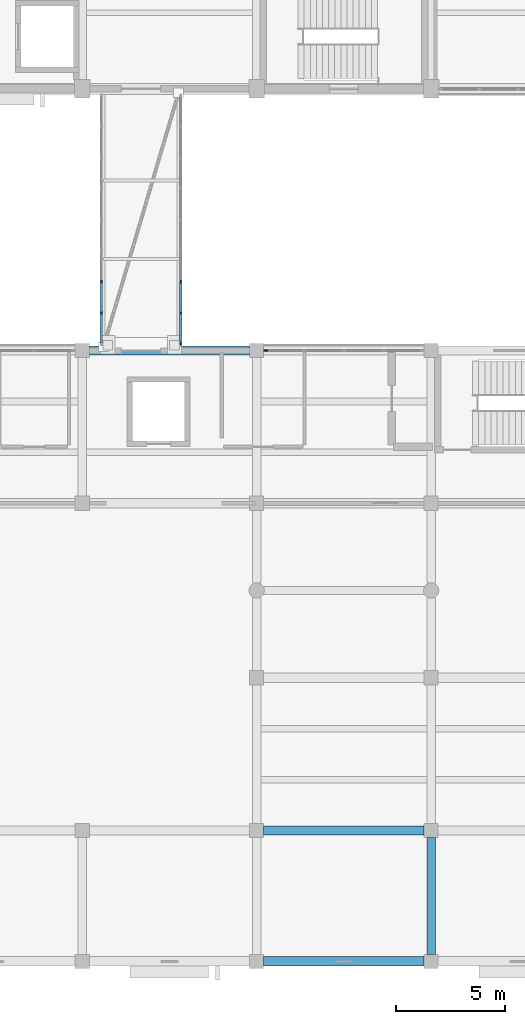
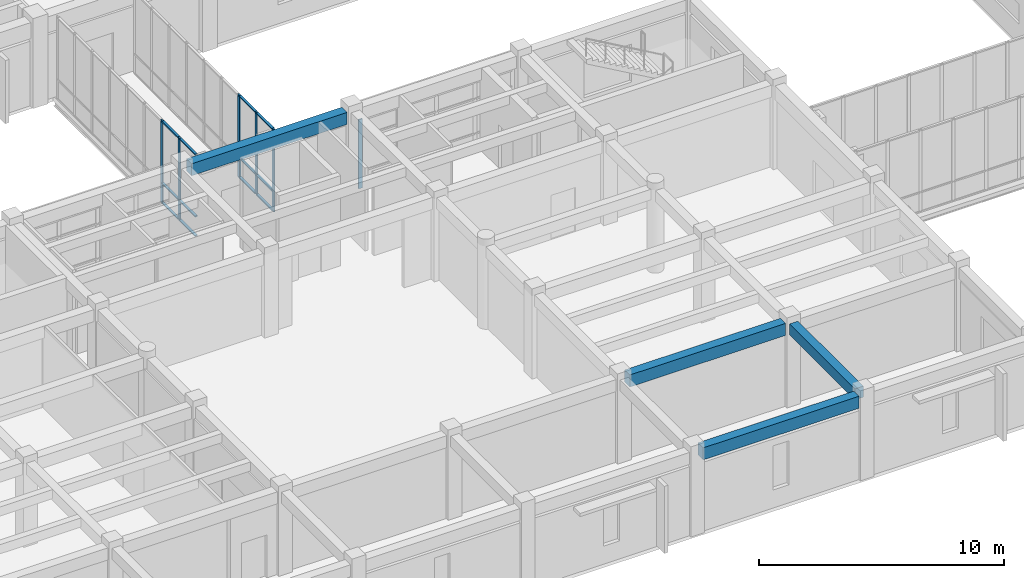
# One storey, part 19 of 72: 18 members, 4 beams, 3 elements without a shape of their own.
"""IFC4 building model written with IfcOpenShell, lengths in metres."""

from ifc_helpers import new_model, si_unit, direction, frame, origin, origin_2d, place, context, subcontext, project, spatial, rectangle, extrude, material, layer, layer_set, material_profile, profile_set, type_object, element, aggregate, save


model = new_model("IFC4")

# Units and contexts
model_context = context("Model", 3, precision=1e-05, world=origin(), true_north=direction((0.0, 1.0)))
body_context = subcontext(model_context, "Body", "Model", "MODEL_VIEW")
ifc_project = project(units=[si_unit("LENGTHUNIT", "METRE"), si_unit("AREAUNIT", "SQUARE_METRE"), si_unit("VOLUMEUNIT", "CUBIC_METRE"), si_unit("PLANEANGLEUNIT", "RADIAN"), si_unit("MASSUNIT", "GRAM", prefix="KILO")], contexts=[model_context])

# Site, building, storey
site_placement = place(None, origin())
site = spatial("IfcSite", under=ifc_project, at=site_placement, CompositionType="ELEMENT")
building_placement = place(site_placement, origin())
building = spatial("IfcBuilding", under=site, at=building_placement, Name="Naurynzar Civic Courthouse", CompositionType="ELEMENT")
storey_placement = place(building_placement, frame((0.0, 0.0, 9.89990234375)))
storey = spatial("IfcBuildingStorey", under=building, at=storey_placement, Name="L03", CompositionType="ELEMENT", Elevation=9.89990234375)

# Beams
ifc_material_1 = material(Name="Concrete C40/50", Category="concrete")
ifc_material_profile_1 = material_profile(ifc_material_1, rectangle(XDim=0.39990234375, YDim=0.550048828125, at=origin_2d()), Name="RCB 400x550")
ifc_profile_set_1 = profile_set([ifc_material_profile_1], Name="Concrete C40/50")
beam_type_1 = type_object("IfcBeamType", Name="BM-RC-400x550", PredefinedType="BEAM", material=ifc_profile_set_1)
beam_placement = place(storey_placement, frame((109.0, 4.324951171875, 3.885009765625), z_axis=(0.0, 1.0, 0.0), x_axis=(-1.0, 0.0, 0.0)))
element("IfcBeam", 1, at=beam_placement, inside=storey, type_object=beam_type_1, Name="V3 girder Y-1466 L03", PredefinedType="BEAM", context=body_context, shape_type="SweptSolid", body=[
    extrude(rectangle(XDim=0.39990234375, YDim=0.550048828125, at=origin_2d()), origin(), (0.0, 0.0, 1.0), 5.35009765625),
])
ifc_material_2 = material(Name="Concrete C40/50", Category="concrete")
ifc_material_profile_2 = material_profile(ifc_material_2, rectangle(XDim=0.425048828125, YDim=0.60009765625, at=origin_2d()), Name="RCB 425x600")
ifc_profile_set_2 = profile_set([ifc_material_profile_2], Name="Concrete C40/50")
beam_type_2 = type_object("IfcBeamType", Name="BM-RC-425x600", PredefinedType="BEAM", material=ifc_profile_set_2)
for number, where, z_axis, x_axis, name in (
    (2, (101.324951171875, 4.0, 3.860107421875), (1.0, 0.0, 0.0), (0.0, 1.0, 0.0), "V3 beam X-1421 L03"),
    (3, (101.324951171875, 10.0, 3.860107421875), (1.0, 0.0, 0.0), (0.0, 1.0, 0.0), "V3 beam X-1427 L03"),
    (4, (93.324951171875, 32.0, 3.860107421875), (1.0, 0.0, 0.0), (0.0, 1.0, 0.0), "V3 beam X-1442 L03"),
):
    element("IfcBeam", number, at=place(storey_placement, frame(where, z_axis=z_axis, x_axis=x_axis)), inside=storey, type_object=beam_type_2, Name=name, PredefinedType="BEAM", context=body_context, shape_type="SweptSolid", body=[
        extrude(rectangle(XDim=0.425048828125, YDim=0.60009765625, at=origin_2d()), origin(), (0.0, 0.0, 1.0), 7.35009765625),
    ])

# Curtain wall, members
ifc_material_3 = material(Name="Aluminium 6063-T6", Category="aluminium")
ifc_layer_1 = layer(ifc_material_3, 0.14990234375)
ifc_layer_set_1 = layer_set([ifc_layer_1], Name="CW-BRIDGE-1500")
curtain_wall_type_1 = type_object("IfcCurtainWallType", Name="CW-BRIDGE-1500", PredefinedType="USERDEFINED", material=ifc_layer_set_1)
curtain_wall_1_placement = place(storey_placement, origin())
curtain_wall_1 = element("IfcCurtainWall", 5, at=curtain_wall_1_placement, inside=storey, type_object=curtain_wall_type_1, Name="BR-C1 glazed bridge screen L03.1", ObjectType="GLAZED BRIDGE SCREEN", PredefinedType="USERDEFINED")
ifc_material_4 = material(Name="Aluminium 6063-T6", Category="aluminium")
ifc_material_profile_3 = material_profile(ifc_material_4, rectangle(XDim=0.06005859375, YDim=0.14990234375, at=origin_2d()), Name="ALU MULLION 60x150")
ifc_profile_set_3 = profile_set([ifc_material_profile_3], Name="Aluminium 6063-T6")
member_type_1 = type_object("IfcMemberType", Name="CWM-60x150", PredefinedType="MULLION", material=ifc_profile_set_3)
member_1_placement = place(storey_placement, frame((93.8798828125, 35.14990234375, 0.0), z_axis=(0.0, 0.0, 1.0), x_axis=(1.0, 0.0, 0.0)))
member_1 = element("IfcMember", 6, at=member_1_placement, type_object=member_type_1, Name="CW-03 mullion 7", PredefinedType="MULLION", context=body_context, shape_type="SweptSolid", body=[
    extrude(rectangle(XDim=0.06005859375, YDim=0.14990234375, at=origin_2d()), origin(), (0.0, 0.0, 1.0), 4.1201171875),
])
member_2_placement = place(storey_placement, frame((93.8798828125, 33.72509765625, 0.0), z_axis=(0.0, 0.0, 1.0), x_axis=(1.0, 0.0, 0.0)))
member_2 = element("IfcMember", 7, at=member_2_placement, type_object=member_type_1, Name="CW-03 mullion 8", PredefinedType="MULLION", context=body_context, shape_type="SweptSolid", body=[
    extrude(rectangle(XDim=0.06005859375, YDim=0.14990234375, at=origin_2d()), origin(), (0.0, 0.0, 1.0), 4.1201171875),
])

curtain_wall_2_placement = place(storey_placement, origin())
curtain_wall_2 = element("IfcCurtainWall", 8, at=curtain_wall_2_placement, inside=storey, type_object=curtain_wall_type_1, Name="BR-C1 glazed bridge screen L03.2", ObjectType="GLAZED BRIDGE SCREEN", PredefinedType="USERDEFINED")
member_3_placement = place(storey_placement, frame((97.52001953125, 32.330078125, 0.0), z_axis=(0.0, 0.0, 1.0), x_axis=(-1.0, 0.0, 0.0)))
member_3 = element("IfcMember", 9, at=member_3_placement, type_object=member_type_1, Name="CW-03 mullion 1", PredefinedType="MULLION", context=body_context, shape_type="SweptSolid", body=[
    extrude(rectangle(XDim=0.06005859375, YDim=0.14990234375, at=origin_2d()), origin(), (0.0, 0.0, 1.0), 4.1201171875),
])
member_4_placement = place(storey_placement, frame((97.52001953125, 33.72509765625, 0.0), z_axis=(0.0, 0.0, 1.0), x_axis=(-1.0, 0.0, 0.0)))
member_4 = element("IfcMember", 10, at=member_4_placement, type_object=member_type_1, Name="CW-03 mullion 2", PredefinedType="MULLION", context=body_context, shape_type="SweptSolid", body=[
    extrude(rectangle(XDim=0.06005859375, YDim=0.14990234375, at=origin_2d()), origin(), (0.0, 0.0, 1.0), 4.1201171875),
])
member_5_placement = place(storey_placement, frame((97.52001953125, 35.14990234375, 0.0), z_axis=(0.0, 0.0, 1.0), x_axis=(-1.0, 0.0, 0.0)))
member_5 = element("IfcMember", 11, at=member_5_placement, type_object=member_type_1, Name="CW-03 mullion 3", PredefinedType="MULLION", context=body_context, shape_type="SweptSolid", body=[
    extrude(rectangle(XDim=0.06005859375, YDim=0.14990234375, at=origin_2d()), origin(), (0.0, 0.0, 1.0), 4.1201171875),
])

# Curtain wall, member
ifc_material_5 = material(Name="Aluminium 6063-T6", Category="aluminium")
ifc_layer_2 = layer(ifc_material_5, 0.159912109375)
ifc_layer_set_2 = layer_set([ifc_layer_2], Name="CW-UNIT-1800")
curtain_wall_type_2 = type_object("IfcCurtainWallType", Name="CW-UNIT-1800", PredefinedType="NOTDEFINED", material=ifc_layer_set_2)
curtain_wall_3_placement = place(storey_placement, origin())
curtain_wall_3 = element("IfcCurtainWall", 12, at=curtain_wall_3_placement, inside=storey, type_object=curtain_wall_type_2, Name="V3 unitised curtain wall 69 L03", PredefinedType="NOTDEFINED")
ifc_material_6 = material(Name="Aluminium 6063-T6", Category="aluminium")
ifc_material_profile_4 = material_profile(ifc_material_6, rectangle(XDim=0.070068359375, YDim=0.179931640625, at=origin_2d()), Name="ALU MULLION 70x180")
ifc_profile_set_4 = profile_set([ifc_material_profile_4], Name="Aluminium 6063-T6")
member_type_2 = type_object("IfcMemberType", Name="CWM-70x180", PredefinedType="MULLION", material=ifc_profile_set_4)
member_6_placement = place(storey_placement, frame((101.409912109375, 32.0, 0.0), z_axis=(0.0, 0.0, 1.0), x_axis=(0.0, 1.0, 0.0)))
member_6 = element("IfcMember", 13, at=member_6_placement, type_object=member_type_2, Name="CW-02 mullion 1", PredefinedType="MULLION", context=body_context, shape_type="SweptSolid", body=[
    extrude(rectangle(XDim=0.070068359375, YDim=0.179931640625, at=origin_2d()), origin(), (0.0, 0.0, 1.0), 3.440185546875),
])
aggregate(curtain_wall_3, [member_6])

# Member
ifc_material_7 = material(Name="Aluminium 6063-T6", Category="aluminium")
ifc_material_profile_5 = material_profile(ifc_material_7, rectangle(XDim=0.110107421875, YDim=0.06005859375, at=origin_2d()), Name="ALU TRANSOM 60x110")
ifc_profile_set_5 = profile_set([ifc_material_profile_5], Name="Aluminium 6063-T6")
member_type_3 = type_object("IfcMemberType", Name="CWT-60x110", PredefinedType="USERDEFINED", material=ifc_profile_set_5)
member_7_placement = place(storey_placement, frame((93.8798828125, 35.1201171875, 0.030029296875), z_axis=(0.0, -1.0, 0.0), x_axis=(1.0, 0.0, 0.0)))
member_7 = element("IfcMember", 14, at=member_7_placement, type_object=member_type_3, Name="CW-03 transom 7.1", ObjectType="TRANSOM", PredefinedType="USERDEFINED", context=body_context, shape_type="SweptSolid", body=[
    extrude(rectangle(XDim=0.110107421875, YDim=0.06005859375, at=origin_2d()), origin(), (0.0, 0.0, 1.0), 1.365234375),
])

member_8_placement = place(storey_placement, frame((93.8798828125, 35.1201171875, 1.0), z_axis=(0.0, -1.0, 0.0), x_axis=(1.0, 0.0, 0.0)))
member_8 = element("IfcMember", 15, at=member_8_placement, type_object=member_type_3, Name="CW-03 transom 7.2", ObjectType="TRANSOM", PredefinedType="USERDEFINED", context=body_context, shape_type="SweptSolid", body=[
    extrude(rectangle(XDim=0.110107421875, YDim=0.06005859375, at=origin_2d()), origin(), (0.0, 0.0, 1.0), 1.365234375),
])

member_9_placement = place(storey_placement, frame((93.8798828125, 35.1201171875, 4.090087890625), z_axis=(0.0, -1.0, 0.0), x_axis=(1.0, 0.0, 0.0)))
member_9 = element("IfcMember", 16, at=member_9_placement, type_object=member_type_3, Name="CW-03 transom 7.3", ObjectType="TRANSOM", PredefinedType="USERDEFINED", context=body_context, shape_type="SweptSolid", body=[
    extrude(rectangle(XDim=0.110107421875, YDim=0.06005859375, at=origin_2d()), origin(), (0.0, 0.0, 1.0), 1.365234375),
])

member_10_placement = place(storey_placement, frame((93.8798828125, 33.695068359375, 0.030029296875), z_axis=(0.0, -1.0, 0.0), x_axis=(1.0, 0.0, 0.0)))
member_10 = element("IfcMember", 17, at=member_10_placement, type_object=member_type_3, Name="CW-03 transom 8.1", ObjectType="TRANSOM", PredefinedType="USERDEFINED", context=body_context, shape_type="SweptSolid", body=[
    extrude(rectangle(XDim=0.110107421875, YDim=0.06005859375, at=origin_2d()), origin(), (0.0, 0.0, 1.0), 1.3349609375),
])

member_11_placement = place(storey_placement, frame((93.8798828125, 33.695068359375, 1.0), z_axis=(0.0, -1.0, 0.0), x_axis=(1.0, 0.0, 0.0)))
member_11 = element("IfcMember", 18, at=member_11_placement, type_object=member_type_3, Name="CW-03 transom 8.2", ObjectType="TRANSOM", PredefinedType="USERDEFINED", context=body_context, shape_type="SweptSolid", body=[
    extrude(rectangle(XDim=0.110107421875, YDim=0.06005859375, at=origin_2d()), origin(), (0.0, 0.0, 1.0), 1.3349609375),
])

member_12_placement = place(storey_placement, frame((93.8798828125, 33.695068359375, 4.090087890625), z_axis=(0.0, -1.0, 0.0), x_axis=(1.0, 0.0, 0.0)))
member_12 = element("IfcMember", 19, at=member_12_placement, type_object=member_type_3, Name="CW-03 transom 8.3", ObjectType="TRANSOM", PredefinedType="USERDEFINED", context=body_context, shape_type="SweptSolid", body=[
    extrude(rectangle(XDim=0.110107421875, YDim=0.06005859375, at=origin_2d()), origin(), (0.0, 0.0, 1.0), 1.3349609375),
])

aggregate(curtain_wall_1, [member_1, member_2, member_7, member_8, member_9, member_10, member_11, member_12])

member_13_placement = place(storey_placement, frame((97.52001953125, 32.360107421875, 0.030029296875), z_axis=(0.0, 1.0, 0.0), x_axis=(-1.0, 0.0, 0.0)))
member_13 = element("IfcMember", 20, at=member_13_placement, type_object=member_type_3, Name="CW-03 transom 1.1", ObjectType="TRANSOM", PredefinedType="USERDEFINED", context=body_context, shape_type="SweptSolid", body=[
    extrude(rectangle(XDim=0.110107421875, YDim=0.06005859375, at=origin_2d()), origin(), (0.0, 0.0, 1.0), 1.3349609375),
])

member_14_placement = place(storey_placement, frame((97.52001953125, 32.360107421875, 1.0), z_axis=(0.0, 1.0, 0.0), x_axis=(-1.0, 0.0, 0.0)))
member_14 = element("IfcMember", 21, at=member_14_placement, type_object=member_type_3, Name="CW-03 transom 1.2", ObjectType="TRANSOM", PredefinedType="USERDEFINED", context=body_context, shape_type="SweptSolid", body=[
    extrude(rectangle(XDim=0.110107421875, YDim=0.06005859375, at=origin_2d()), origin(), (0.0, 0.0, 1.0), 1.3349609375),
])

member_15_placement = place(storey_placement, frame((97.52001953125, 32.360107421875, 4.090087890625), z_axis=(0.0, 1.0, 0.0), x_axis=(-1.0, 0.0, 0.0)))
member_15 = element("IfcMember", 22, at=member_15_placement, type_object=member_type_3, Name="CW-03 transom 1.3", ObjectType="TRANSOM", PredefinedType="USERDEFINED", context=body_context, shape_type="SweptSolid", body=[
    extrude(rectangle(XDim=0.110107421875, YDim=0.06005859375, at=origin_2d()), origin(), (0.0, 0.0, 1.0), 1.3349609375),
])

member_16_placement = place(storey_placement, frame((97.52001953125, 33.7548828125, 0.030029296875), z_axis=(0.0, 1.0, 0.0), x_axis=(-1.0, 0.0, 0.0)))
member_16 = element("IfcMember", 23, at=member_16_placement, type_object=member_type_3, Name="CW-03 transom 2.1", ObjectType="TRANSOM", PredefinedType="USERDEFINED", context=body_context, shape_type="SweptSolid", body=[
    extrude(rectangle(XDim=0.110107421875, YDim=0.06005859375, at=origin_2d()), origin(), (0.0, 0.0, 1.0), 1.365234375),
])

member_17_placement = place(storey_placement, frame((97.52001953125, 33.7548828125, 1.0), z_axis=(0.0, 1.0, 0.0), x_axis=(-1.0, 0.0, 0.0)))
member_17 = element("IfcMember", 24, at=member_17_placement, type_object=member_type_3, Name="CW-03 transom 2.2", ObjectType="TRANSOM", PredefinedType="USERDEFINED", context=body_context, shape_type="SweptSolid", body=[
    extrude(rectangle(XDim=0.110107421875, YDim=0.06005859375, at=origin_2d()), origin(), (0.0, 0.0, 1.0), 1.365234375),
])

member_18_placement = place(storey_placement, frame((97.52001953125, 33.7548828125, 4.090087890625), z_axis=(0.0, 1.0, 0.0), x_axis=(-1.0, 0.0, 0.0)))
member_18 = element("IfcMember", 25, at=member_18_placement, type_object=member_type_3, Name="CW-03 transom 2.3", ObjectType="TRANSOM", PredefinedType="USERDEFINED", context=body_context, shape_type="SweptSolid", body=[
    extrude(rectangle(XDim=0.110107421875, YDim=0.06005859375, at=origin_2d()), origin(), (0.0, 0.0, 1.0), 1.365234375),
])

aggregate(curtain_wall_2, [member_3, member_4, member_5, member_13, member_14, member_15, member_16, member_17, member_18])

save(model, "model.ifc")
